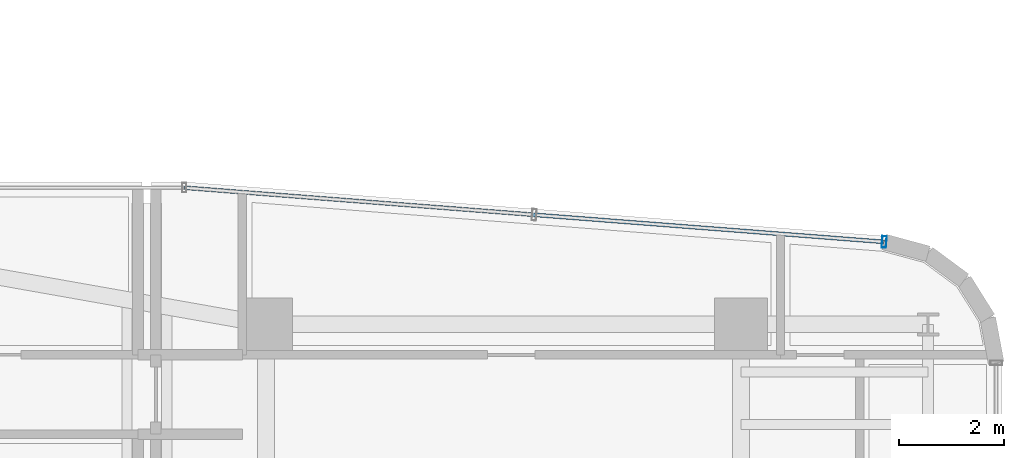
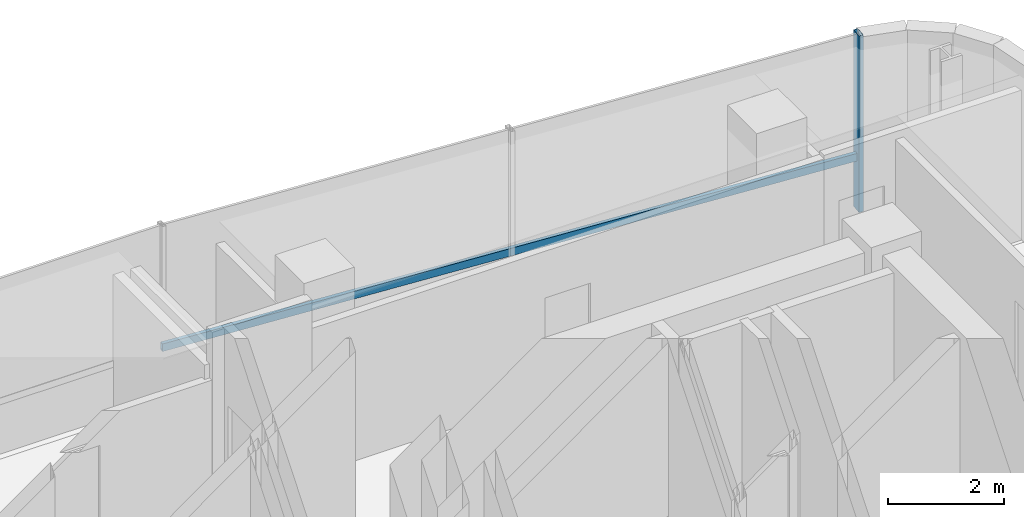
# One storey, part 24 of 35: 2 members, 1 element without a shape of its own.
"""IFC4 building model written with IfcOpenShell, lengths in metres."""

from ifc_helpers import new_model, si_unit, direction, frame, origin, origin_2d, place, context, subcontext, project, spatial, hollow_rectangle, extrude, source, transform, mapped, material, material_profile, profile_set, type_object, element, aggregate, save


model = new_model("IFC4")

# Units and contexts
model_context = context("Model", 3, precision=1e-05, world=origin(), true_north=direction((0.0, 1.0)))
body_context = subcontext(model_context, "Body", "Model", "MODEL_VIEW")
ifc_project = project(units=[si_unit("LENGTHUNIT", "METRE"), si_unit("AREAUNIT", "SQUARE_METRE"), si_unit("VOLUMEUNIT", "CUBIC_METRE"), si_unit("PLANEANGLEUNIT", "RADIAN"), si_unit("MASSUNIT", "GRAM", prefix="KILO")], contexts=[model_context])

# Site, building, storey
site_placement = place(None, origin())
site = spatial("IfcSite", under=ifc_project, at=site_placement, CompositionType="ELEMENT")
building_placement = place(site_placement, origin())
building = spatial("IfcBuilding", under=site, at=building_placement, Name="Valdorenza Pilgrim Sanctuary Tower", CompositionType="ELEMENT")
storey_placement = place(building_placement, frame((0.0, 0.0, 192.35009765625)))
storey = spatial("IfcBuildingStorey", under=building, at=storey_placement, Name="L49", CompositionType="ELEMENT", Elevation=192.35009765625)

# Curtain wall, members
ifc_material_1 = material(Name="Curtain-wall IGU glazing", Category="glass")
curtain_wall_type = type_object("IfcCurtainWallType", Name="CW-SYS-03", PredefinedType="NOTDEFINED", material=ifc_material_1)
curtain_wall_placement = place(storey_placement, origin())
curtain_wall = element("IfcCurtainWall", 1, at=curtain_wall_placement, inside=storey, type_object=curtain_wall_type, Name="L49 Curtain Wall CW-L49-1-32", PredefinedType="NOTDEFINED")
ifc_material_2 = material(Name="Anodised aluminium AW-6060", Category="aluminium")
ifc_material_profile_1 = material_profile(ifc_material_2, hollow_rectangle(XDim=0.074951171875, YDim=0.159912109375, WallThickness=0.00390625, at=origin_2d()), Name="ALU-T 160x75x4")
ifc_profile_set_1 = profile_set([ifc_material_profile_1], Name="Anodised aluminium AW-6060")
member_type_1 = type_object("IfcMemberType", Name="CW-TRN-03", PredefinedType="USERDEFINED", material=ifc_profile_set_1)
shared_shape_1 = source(origin(), body_context, "Body", "SweptSolid", [
    extrude(hollow_rectangle(XDim=0.074951171875, YDim=0.159912109375, WallThickness=0.00390625, at=origin_2d()), origin(), (0.0, 0.0, 1.0), 13.310546875),
])
member_1_placement = place(storey_placement, frame((14.295654296875, 16.090087890625, 1.119873046875), z_axis=(0.997015515781, -0.077201433227, 0.0), x_axis=(0.077201433227, 0.997015515781, 0.0)))
member_1 = element("IfcMember", 2, at=member_1_placement, type_object=member_type_1, Name="CW-L49-1-32 Transom 1", ObjectType="TRANSOM", PredefinedType="USERDEFINED", context=body_context, shape_type="MappedRepresentation", body=[
    mapped(shared_shape_1, transform((0.0, 0.0, 0.0), x_axis=(1.0, 0.0, 0.0), y_axis=(0.0, 1.0, 0.0), z_axis=(0.0, 0.0, 1.0), scale=1.0)),
])
ifc_material_profile_2 = material_profile(ifc_material_2, hollow_rectangle(XDim=0.0849609375, YDim=0.219970703125, WallThickness=0.0048828125, at=origin_2d()), Name="ALU-M 220x85x5")
ifc_profile_set_2 = profile_set([ifc_material_profile_2], Name="Anodised aluminium AW-6060")
member_type_2 = type_object("IfcMemberType", Name="CW-MUL-03", PredefinedType="MULLION", material=ifc_profile_set_2)
shared_shape_2 = source(origin(), body_context, "Body", "SweptSolid", [
    extrude(hollow_rectangle(XDim=0.0849609375, YDim=0.219970703125, WallThickness=0.0048828125, at=origin_2d()), origin(), (0.0, 0.0, 1.0), 3.7099609375),
])
member_2_placement = place(storey_placement, frame((27.56640625, 15.0625, 0.0), z_axis=(0.0, 0.0, 1.0), x_axis=(0.997016488532, -0.077188869631, 0.0)))
member_2 = element("IfcMember", 3, at=member_2_placement, type_object=member_type_2, Name="CW-L49-1-32 Mullion 3", PredefinedType="MULLION", context=body_context, shape_type="MappedRepresentation", body=[
    mapped(shared_shape_2, transform((0.0, 0.0, 0.0), x_axis=(1.0, 0.0, 0.0), y_axis=(0.0, 1.0, 0.0), z_axis=(0.0, 0.0, 1.0), scale=1.0)),
])
aggregate(curtain_wall, [member_2, member_1])

save(model, "model.ifc")
